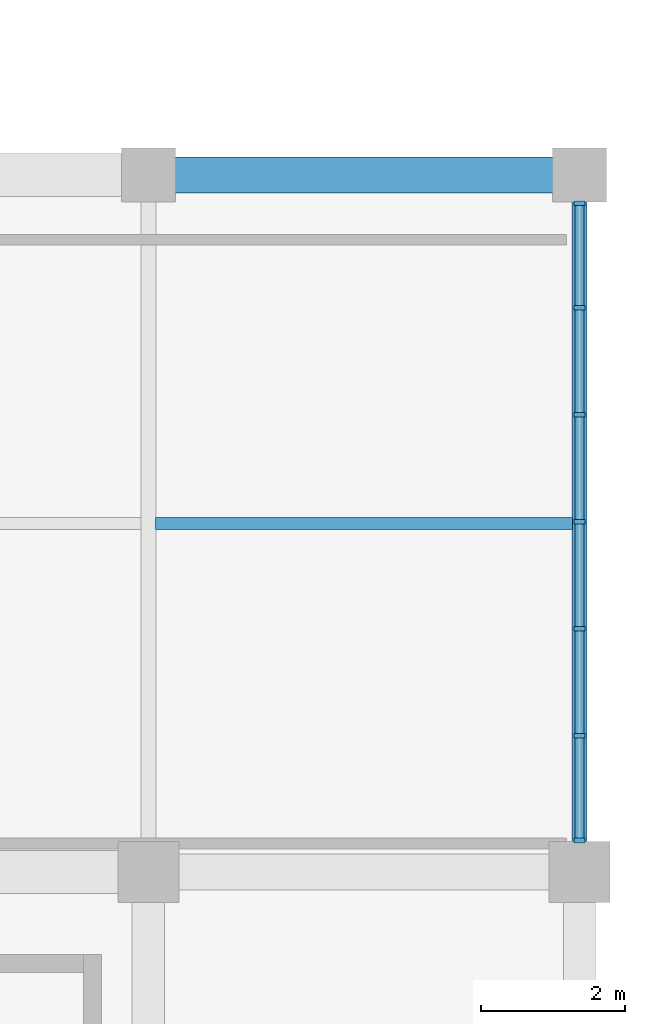
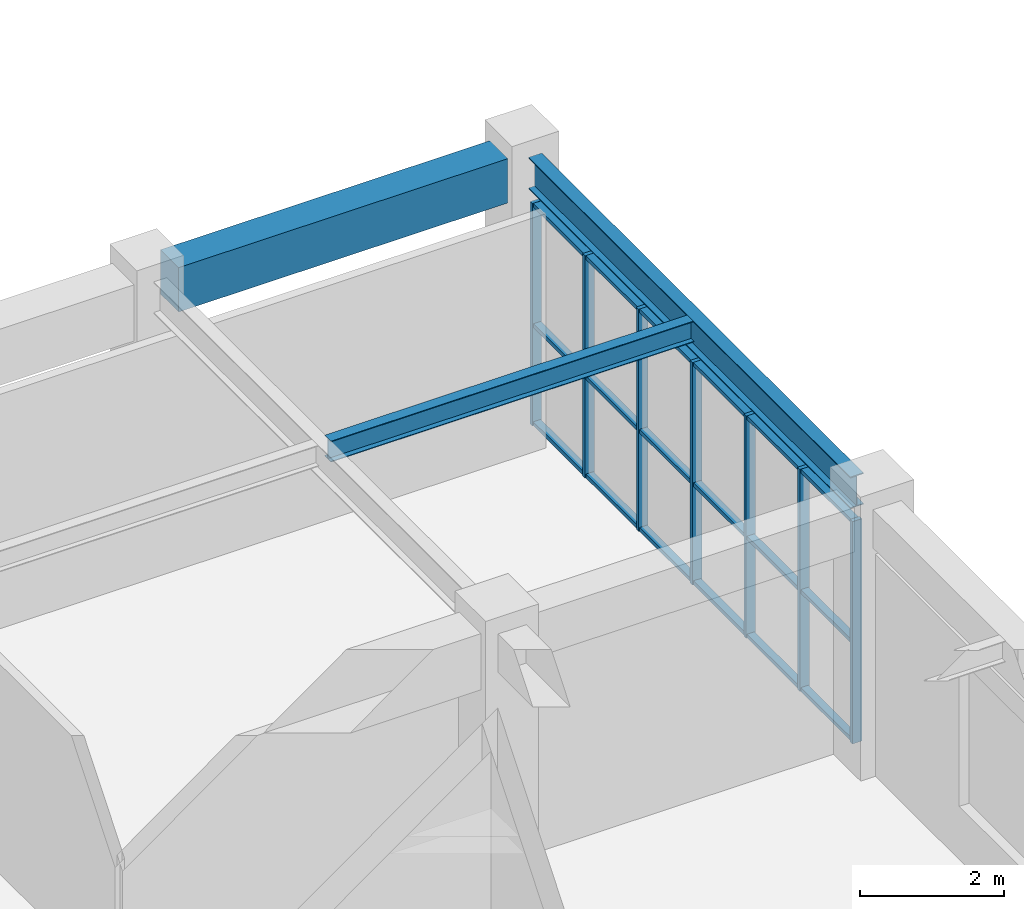
# One storey, part 61 of 112: 25 members, 3 beams, 1 element without a shape of its own.
"""IFC4 building model written with IfcOpenShell, lengths in metres."""

import ifcopenshell
import ifcopenshell.guid

model = None  # the IFC model being written
_history = None  # IfcOwnerHistory: only IFC2X3 demands one
_inside = {}  # id of a spatial element -> (the spatial element, [elements in it])
_under = {}  # id of a project, library or spatial element -> (it, [spatial elements below it])
_declared = {}  # id of a project -> (the project, [libraries it declares])
_typed = {}  # id of a type object -> (the type object, [elements of that type])
_made_of = {}  # id of a material, layer set ... -> (it, [elements and type objects made of it])


def new_model(schema):
    """Start an empty IFC model of exactly this schema.

    Asked for "IFC4X3", IfcOpenShell would pick the latest addendum, in which some entities
    have other attributes; the version numbers below select the first issue.
    IFC2X3 requires an IfcOwnerHistory on every rooted entity: one is made here for all.
    """
    global model, _history
    if schema == "IFC4X3":
        model = ifcopenshell.file(schema_version=(4, 3, 0, 0))
    else:
        model = ifcopenshell.file(schema=schema)
    _inside.clear()
    _under.clear()
    _declared.clear()
    _typed.clear()
    _made_of.clear()
    _history = None
    if model.schema == "IFC2X3":
        org = make("IfcOrganization", Name="unknown")
        user = make(
            "IfcPersonAndOrganization",
            ThePerson=make("IfcPerson", FamilyName="unknown"),
            TheOrganization=org,
        )
        app = make(
            "IfcApplication",
            ApplicationDeveloper=org,
            Version="unknown",
            ApplicationFullName="unknown",
            ApplicationIdentifier="unknown",
        )
        _history = make(
            "IfcOwnerHistory",
            OwningUser=user,
            OwningApplication=app,
            ChangeAction="ADDED",
            CreationDate=0,
        )
    return model


def make(cls, **values):
    """One entity of the class cls with the attributes given. An attribute that is None is left unset."""
    return model.create_entity(
        cls, **{name: value for name, value in values.items() if value is not None}
    )


def rooted(cls, **values):
    """An entity with a GlobalId (a new one), such as an element, a storey or a relation."""
    return make(cls, GlobalId=ifcopenshell.guid.new(), OwnerHistory=_history, **values)


def si_unit(unit_type, name, prefix=None):
    """IfcSIUnit, for example si_unit("LENGTHUNIT", "METRE", prefix="MILLI")."""
    return make("IfcSIUnit", UnitType=unit_type, Prefix=prefix, Name=name)


def assignment(units):
    """IfcUnitAssignment: the units of a project."""
    return None if units is None else make("IfcUnitAssignment", Units=units)


def point(xyz):
    """IfcCartesianPoint."""
    return None if xyz is None else make("IfcCartesianPoint", Coordinates=xyz)


def direction(xyz):
    """IfcDirection."""
    return None if xyz is None else make("IfcDirection", DirectionRatios=xyz)


def frame(location, z_axis=None, x_axis=None):
    """IfcAxis2Placement3D, a coordinate frame: its origin and axes. An axis left out is left unset."""
    return make(
        "IfcAxis2Placement3D",
        Location=point(location),
        Axis=direction(z_axis),
        RefDirection=direction(x_axis),
    )


def frame_2d(location, x_axis=None):
    """IfcAxis2Placement2D, a coordinate frame in the plane: its origin and x axis."""
    return make(
        "IfcAxis2Placement2D", Location=point(location), RefDirection=direction(x_axis)
    )


def origin():
    """The frame at (0, 0, 0) with its axes left unset."""
    return frame((0.0, 0.0, 0.0))


def origin_2d():
    """The frame at (0, 0) in the plane with its x axis left unset."""
    return frame_2d((0.0, 0.0))


def place(relative_to, where):
    """IfcLocalPlacement: puts the frame where relative to a parent placement (None: the world)."""
    return make(
        "IfcLocalPlacement", PlacementRelTo=relative_to, RelativePlacement=where
    )


def context(
    kind, dimensions, precision=None, world=None, true_north=None, identifier=None
):
    """IfcGeometricRepresentationContext, for example the 3D "Model" context."""
    return make(
        "IfcGeometricRepresentationContext",
        ContextIdentifier=identifier,
        ContextType=kind,
        CoordinateSpaceDimension=dimensions,
        Precision=precision,
        WorldCoordinateSystem=world,
        TrueNorth=true_north,
    )


def subcontext(parent, identifier, kind, view, scale=None):
    """IfcGeometricRepresentationSubContext, for example "Body" below "Model"."""
    return make(
        "IfcGeometricRepresentationSubContext",
        ContextIdentifier=identifier,
        ContextType=kind,
        ParentContext=parent,
        TargetScale=scale,
        TargetView=view,
    )


def project(units=None, contexts=None):
    """IfcProject with its units and contexts."""
    return rooted(
        "IfcProject",
        Name="project",
        RepresentationContexts=contexts,
        UnitsInContext=assignment(units),
    )


def spatial(cls, under=None, at=None, **own):
    """A site, building, storey or space (cls), placed at a placement, below another one or the project."""
    s = rooted(cls, ObjectPlacement=at, **own)
    if under is not None:
        _under.setdefault(under.id(), (under, []))[1].append(s)
    return s


def profile(cls, at=None, kind="AREA", **sizes):
    """A parametric profile (cls). Its sizes go by their IFC names, for example OverallWidth=200.0."""
    return make(cls, ProfileType=kind, Position=at, **sizes)


def rectangle(**sizes):
    """IfcRectangleProfileDef."""
    return profile("IfcRectangleProfileDef", **sizes)


def i_section(**sizes):
    """IfcIShapeProfileDef."""
    return profile("IfcIShapeProfileDef", **sizes)


def extrude(swept, where, along, depth):
    """IfcExtrudedAreaSolid: the profile swept, set in the frame where, extruded along a direction by depth."""
    return make(
        "IfcExtrudedAreaSolid",
        SweptArea=swept,
        Position=where,
        ExtrudedDirection=direction(along),
        Depth=depth,
    )


def shape(context_of_items, identifier, shape_type, items):
    """IfcShapeRepresentation: the items that make up one representation, for example the "Body"."""
    return make(
        "IfcShapeRepresentation",
        ContextOfItems=context_of_items,
        RepresentationIdentifier=identifier,
        RepresentationType=shape_type,
        Items=items,
    )


def material(Name=None, Category=None):
    """IfcMaterial."""
    return make("IfcMaterial", Name=Name, Category=Category)


def material_profile(
    of_material, cross_section, Name=None, Category=None, Priority=None
):
    """IfcMaterialProfile: a cross section and its material."""
    return make(
        "IfcMaterialProfile",
        Name=Name,
        Material=of_material,
        Profile=cross_section,
        Priority=Priority,
        Category=Category,
    )


def profile_set(profiles, Name=None, composite=None):
    """IfcMaterialProfileSet."""
    return make(
        "IfcMaterialProfileSet",
        Name=Name,
        MaterialProfiles=profiles,
        CompositeProfile=composite,
    )


def made_of(thing, what):
    """Note that an element or type object is made of a material, layer set ...; save() writes the relation."""
    if what is not None:
        _made_of.setdefault(what.id(), (what, []))[1].append(thing)
    return thing


def type_object(cls, material=None, **own):
    """A type object (cls), such as IfcWallType, which elements share."""
    return made_of(rooted(cls, **own), material)


def element(
    cls,
    number,
    at=None,
    inside=None,
    cuts=None,
    type_object=None,
    material=None,
    context=None,
    identifier="Body",
    shape_type=None,
    held_by="IfcProductDefinitionShape",
    body=None,
    shapes=None,
    **own,
):
    """One element of the class cls, such as IfcWall. Its Tag is "e" and its number.

    at: its placement. inside: the storey or other place that contains it. cuts: it is an
    opening in that element (IfcRelVoidsElement). A single representation is given by context,
    identifier, shape_type and body (its items); several are given by shapes. held_by: the class
    of the entity that holds the representations. save() writes the other relations.
    """
    e = rooted(cls, Tag="e%d" % number, ObjectPlacement=at, **own)
    if body is not None:
        shapes = [shape(context, identifier, shape_type, body)]
    if shapes is not None:
        e.Representation = make(held_by, Representations=shapes)
    if inside is not None:
        _inside.setdefault(inside.id(), (inside, []))[1].append(e)
    if cuts is not None:
        rooted(
            "IfcRelVoidsElement", RelatingBuildingElement=cuts, RelatedOpeningElement=e
        )
    if type_object is not None:
        _typed.setdefault(type_object.id(), (type_object, []))[1].append(e)
    return made_of(e, material)


def aggregate(whole, parts):
    """IfcRelAggregates: a whole, such as a stair, and the parts it consists of."""
    return rooted("IfcRelAggregates", RelatingObject=whole, RelatedObjects=parts)


def save(model, path):
    """Write the relations noted so far, then the file.

    IfcRelAggregates (storeys below a building ...), IfcRelContainedInSpatialStructure (elements
    in a storey), IfcRelDefinesByType, IfcRelAssociatesMaterial and IfcRelDeclares: one each for
    every whole, place, type object, material and project.
    """
    for whole, parts in _under.values():
        aggregate(whole, parts)
    for where, things in _inside.values():
        rooted(
            "IfcRelContainedInSpatialStructure",
            RelatedElements=things,
            RelatingStructure=where,
        )
    for kind, things in _typed.values():
        rooted("IfcRelDefinesByType", RelatedObjects=things, RelatingType=kind)
    for what, things in _made_of.values():
        rooted("IfcRelAssociatesMaterial", RelatedObjects=things, RelatingMaterial=what)
    for by, libraries in _declared.values():
        rooted("IfcRelDeclares", RelatingContext=by, RelatedDefinitions=libraries)
    model.write(path)


model = new_model("IFC4")

# Units and contexts
model_context = context("Model", 3, precision=1e-05, world=origin(), true_north=direction((0.0, 1.0)))
body_context = subcontext(model_context, "Body", "Model", "MODEL_VIEW")
ifc_project = project(units=[si_unit("LENGTHUNIT", "METRE"), si_unit("AREAUNIT", "SQUARE_METRE"), si_unit("VOLUMEUNIT", "CUBIC_METRE"), si_unit("PLANEANGLEUNIT", "RADIAN"), si_unit("MASSUNIT", "GRAM", prefix="KILO")], contexts=[model_context])

# Site, building, storey
site_placement = place(None, origin())
site = spatial("IfcSite", under=ifc_project, at=site_placement, CompositionType="ELEMENT")
building_placement = place(site_placement, origin())
building = spatial("IfcBuilding", under=site, at=building_placement, Name="Cuetzalor Civic Arena", CompositionType="ELEMENT")
storey_placement = place(building_placement, frame((0.0, 0.0, 11.39990234375)))
storey = spatial("IfcBuildingStorey", under=building, at=storey_placement, Name="L02", CompositionType="ELEMENT", Elevation=11.39990234375)

# Beam
ifc_material_1 = material(Name="Concrete C40/50", Category="concrete")
ifc_material_profile_1 = material_profile(ifc_material_1, rectangle(XDim=0.5, YDim=0.75, at=origin_2d()), Name="RC 500x750")
ifc_profile_set_1 = profile_set([ifc_material_profile_1], Name="Concrete C40/50")
beam_type_1 = type_object("IfcBeamType", Name="ConcreteFrameBeam_500x750", PredefinedType="BEAM", material=ifc_profile_set_1)
beam_1_placement = place(storey_placement, frame((76.364990234375, 34.699951171875, 4.14501953125), z_axis=(1.0, 0.0, 0.0), x_axis=(0.0, 1.0, 0.0)))
element("IfcBeam", 1, at=beam_1_placement, inside=storey, type_object=beam_type_1, Name="Frame Girder V4E-L02-X0735", PredefinedType="BEAM", context=body_context, shape_type="SweptSolid", body=[
    extrude(rectangle(XDim=0.5, YDim=0.75, at=origin_2d()), origin(), (0.0, 0.0, 1.0), 5.27001953125),
])

# Curtain wall, members
ifc_material_2 = material(Name="Anodised dark bronze aluminium and low-E solar glass", Category="aluminium")
curtain_wall_type = type_object("IfcCurtainWallType", Name="UnitisedCW_8950x3750", PredefinedType="USERDEFINED", material=ifc_material_2)
curtain_wall_placement = place(storey_placement, origin())
curtain_wall = element("IfcCurtainWall", 2, at=curtain_wall_placement, inside=storey, type_object=curtain_wall_type, Name="V4E Suite Viewing Curtain Wall L02-144", ObjectType="UNITISED CURTAIN WALL", PredefinedType="USERDEFINED")
ifc_material_3 = material(Name="Anodised dark bronze aluminium", Category="aluminium")
ifc_material_profile_2 = material_profile(ifc_material_3, rectangle(XDim=0.06494140625, YDim=0.14990234375, at=origin_2d()), Name="ALU MULLION 65x150")
ifc_profile_set_2 = profile_set([ifc_material_profile_2], Name="Anodised dark bronze aluminium")
member_type_1 = type_object("IfcMemberType", Name="CurtainWallMullion_60x150", PredefinedType="MULLION", material=ifc_profile_set_2)
member_1_placement = place(storey_placement, frame((82.0, 34.310546875, 0.0), z_axis=(0.0, 0.0, 1.0), x_axis=(0.0, -1.0, 0.0)))
member_1 = element("IfcMember", 3, at=member_1_placement, type_object=member_type_1, Name="CW-43 mullion 1", PredefinedType="MULLION", context=body_context, shape_type="SweptSolid", body=[
    extrude(rectangle(XDim=0.06494140625, YDim=0.14990234375, at=origin_2d()), origin(), (0.0, 0.0, 1.0), 3.760009765625),
])
member_2_placement = place(storey_placement, frame((82.0, 32.853759765625, 0.0), z_axis=(0.0, 0.0, 1.0), x_axis=(0.0, -1.0, 0.0)))
member_2 = element("IfcMember", 4, at=member_2_placement, type_object=member_type_1, Name="CW-43 mullion 2", PredefinedType="MULLION", context=body_context, shape_type="SweptSolid", body=[
    extrude(rectangle(XDim=0.06494140625, YDim=0.14990234375, at=origin_2d()), origin(), (0.0, 0.0, 1.0), 3.760009765625),
])
member_3_placement = place(storey_placement, frame((82.0, 31.3642578125, 0.0), z_axis=(0.0, 0.0, 1.0), x_axis=(0.0, -1.0, 0.0)))
member_3 = element("IfcMember", 5, at=member_3_placement, type_object=member_type_1, Name="CW-43 mullion 3", PredefinedType="MULLION", context=body_context, shape_type="SweptSolid", body=[
    extrude(rectangle(XDim=0.06494140625, YDim=0.14990234375, at=origin_2d()), origin(), (0.0, 0.0, 1.0), 3.760009765625),
])
member_4_placement = place(storey_placement, frame((82.0, 29.875, 0.0), z_axis=(0.0, 0.0, 1.0), x_axis=(0.0, -1.0, 0.0)))
member_4 = element("IfcMember", 6, at=member_4_placement, type_object=member_type_1, Name="CW-43 mullion 4", PredefinedType="MULLION", context=body_context, shape_type="SweptSolid", body=[
    extrude(rectangle(XDim=0.06494140625, YDim=0.14990234375, at=origin_2d()), origin(), (0.0, 0.0, 1.0), 3.760009765625),
])
member_5_placement = place(storey_placement, frame((82.0, 28.3857421875, 0.0), z_axis=(0.0, 0.0, 1.0), x_axis=(0.0, -1.0, 0.0)))
member_5 = element("IfcMember", 7, at=member_5_placement, type_object=member_type_1, Name="CW-43 mullion 5", PredefinedType="MULLION", context=body_context, shape_type="SweptSolid", body=[
    extrude(rectangle(XDim=0.06494140625, YDim=0.14990234375, at=origin_2d()), origin(), (0.0, 0.0, 1.0), 3.760009765625),
])
member_6_placement = place(storey_placement, frame((82.0, 26.896240234375, 0.0), z_axis=(0.0, 0.0, 1.0), x_axis=(0.0, -1.0, 0.0)))
member_6 = element("IfcMember", 8, at=member_6_placement, type_object=member_type_1, Name="CW-43 mullion 6", PredefinedType="MULLION", context=body_context, shape_type="SweptSolid", body=[
    extrude(rectangle(XDim=0.06494140625, YDim=0.14990234375, at=origin_2d()), origin(), (0.0, 0.0, 1.0), 3.760009765625),
])
member_7_placement = place(storey_placement, frame((82.0, 25.439453125, 0.0), z_axis=(0.0, 0.0, 1.0), x_axis=(0.0, -1.0, 0.0)))
member_7 = element("IfcMember", 9, at=member_7_placement, type_object=member_type_1, Name="CW-43 mullion 7", PredefinedType="MULLION", context=body_context, shape_type="SweptSolid", body=[
    extrude(rectangle(XDim=0.06494140625, YDim=0.14990234375, at=origin_2d()), origin(), (0.0, 0.0, 1.0), 3.760009765625),
])
ifc_material_4 = material(Name="Anodised dark bronze aluminium", Category="aluminium")
ifc_material_profile_3 = material_profile(ifc_material_4, rectangle(XDim=0.1201171875, YDim=0.06494140625, at=origin_2d()), Name="ALU TRANSOM 65x120")
ifc_profile_set_3 = profile_set([ifc_material_profile_3], Name="Anodised dark bronze aluminium")
member_type_2 = type_object("IfcMemberType", Name="CurtainWallTransom_60x120", PredefinedType="USERDEFINED", material=ifc_profile_set_3)
member_8_placement = place(storey_placement, frame((82.0, 34.278076171875, 0.03271484375), z_axis=(0.0, -1.0, 0.0), x_axis=(1.0, 0.0, 0.0)))
member_8 = element("IfcMember", 10, at=member_8_placement, type_object=member_type_2, Name="CW-43 transom 1.1", ObjectType="TRANSOM", PredefinedType="USERDEFINED", context=body_context, shape_type="SweptSolid", body=[
    extrude(rectangle(XDim=0.1201171875, YDim=0.06494140625, at=origin_2d()), origin(), (0.0, 0.0, 1.0), 1.391845703125),
])
member_9_placement = place(storey_placement, frame((82.0, 34.278076171875, 1.692138671875), z_axis=(0.0, -1.0, 0.0), x_axis=(1.0, 0.0, 0.0)))
member_9 = element("IfcMember", 11, at=member_9_placement, type_object=member_type_2, Name="CW-43 transom 1.2", ObjectType="TRANSOM", PredefinedType="USERDEFINED", context=body_context, shape_type="SweptSolid", body=[
    extrude(rectangle(XDim=0.1201171875, YDim=0.06494140625, at=origin_2d()), origin(), (0.0, 0.0, 1.0), 1.391845703125),
])
member_10_placement = place(storey_placement, frame((82.0, 34.278076171875, 3.7275390625), z_axis=(0.0, -1.0, 0.0), x_axis=(1.0, 0.0, 0.0)))
member_10 = element("IfcMember", 12, at=member_10_placement, type_object=member_type_2, Name="CW-43 transom 1.3", ObjectType="TRANSOM", PredefinedType="USERDEFINED", context=body_context, shape_type="SweptSolid", body=[
    extrude(rectangle(XDim=0.1201171875, YDim=0.06494140625, at=origin_2d()), origin(), (0.0, 0.0, 1.0), 1.391845703125),
])
member_11_placement = place(storey_placement, frame((82.0, 32.821044921875, 0.03271484375), z_axis=(0.0, -1.0, 0.0), x_axis=(1.0, 0.0, 0.0)))
member_11 = element("IfcMember", 13, at=member_11_placement, type_object=member_type_2, Name="CW-43 transom 2.1", ObjectType="TRANSOM", PredefinedType="USERDEFINED", context=body_context, shape_type="SweptSolid", body=[
    extrude(rectangle(XDim=0.1201171875, YDim=0.06494140625, at=origin_2d()), origin(), (0.0, 0.0, 1.0), 1.42431640625),
])
member_12_placement = place(storey_placement, frame((82.0, 32.821044921875, 1.692138671875), z_axis=(0.0, -1.0, 0.0), x_axis=(1.0, 0.0, 0.0)))
member_12 = element("IfcMember", 14, at=member_12_placement, type_object=member_type_2, Name="CW-43 transom 2.2", ObjectType="TRANSOM", PredefinedType="USERDEFINED", context=body_context, shape_type="SweptSolid", body=[
    extrude(rectangle(XDim=0.1201171875, YDim=0.06494140625, at=origin_2d()), origin(), (0.0, 0.0, 1.0), 1.42431640625),
])
member_13_placement = place(storey_placement, frame((82.0, 32.821044921875, 3.7275390625), z_axis=(0.0, -1.0, 0.0), x_axis=(1.0, 0.0, 0.0)))
member_13 = element("IfcMember", 15, at=member_13_placement, type_object=member_type_2, Name="CW-43 transom 2.3", ObjectType="TRANSOM", PredefinedType="USERDEFINED", context=body_context, shape_type="SweptSolid", body=[
    extrude(rectangle(XDim=0.1201171875, YDim=0.06494140625, at=origin_2d()), origin(), (0.0, 0.0, 1.0), 1.42431640625),
])
member_14_placement = place(storey_placement, frame((82.0, 31.331787109375, 0.03271484375), z_axis=(0.0, -1.0, 0.0), x_axis=(1.0, 0.0, 0.0)))
member_14 = element("IfcMember", 16, at=member_14_placement, type_object=member_type_2, Name="CW-43 transom 3.1", ObjectType="TRANSOM", PredefinedType="USERDEFINED", context=body_context, shape_type="SweptSolid", body=[
    extrude(rectangle(XDim=0.1201171875, YDim=0.06494140625, at=origin_2d()), origin(), (0.0, 0.0, 1.0), 1.42431640625),
])
member_15_placement = place(storey_placement, frame((82.0, 31.331787109375, 1.692138671875), z_axis=(0.0, -1.0, 0.0), x_axis=(1.0, 0.0, 0.0)))
member_15 = element("IfcMember", 17, at=member_15_placement, type_object=member_type_2, Name="CW-43 transom 3.2", ObjectType="TRANSOM", PredefinedType="USERDEFINED", context=body_context, shape_type="SweptSolid", body=[
    extrude(rectangle(XDim=0.1201171875, YDim=0.06494140625, at=origin_2d()), origin(), (0.0, 0.0, 1.0), 1.42431640625),
])
member_16_placement = place(storey_placement, frame((82.0, 31.331787109375, 3.7275390625), z_axis=(0.0, -1.0, 0.0), x_axis=(1.0, 0.0, 0.0)))
member_16 = element("IfcMember", 18, at=member_16_placement, type_object=member_type_2, Name="CW-43 transom 3.3", ObjectType="TRANSOM", PredefinedType="USERDEFINED", context=body_context, shape_type="SweptSolid", body=[
    extrude(rectangle(XDim=0.1201171875, YDim=0.06494140625, at=origin_2d()), origin(), (0.0, 0.0, 1.0), 1.42431640625),
])
member_17_placement = place(storey_placement, frame((82.0, 29.842529296875, 0.03271484375), z_axis=(0.0, -1.0, 0.0), x_axis=(1.0, 0.0, 0.0)))
member_17 = element("IfcMember", 19, at=member_17_placement, type_object=member_type_2, Name="CW-43 transom 4.1", ObjectType="TRANSOM", PredefinedType="USERDEFINED", context=body_context, shape_type="SweptSolid", body=[
    extrude(rectangle(XDim=0.1201171875, YDim=0.06494140625, at=origin_2d()), origin(), (0.0, 0.0, 1.0), 1.42431640625),
])
member_18_placement = place(storey_placement, frame((82.0, 29.842529296875, 1.692138671875), z_axis=(0.0, -1.0, 0.0), x_axis=(1.0, 0.0, 0.0)))
member_18 = element("IfcMember", 20, at=member_18_placement, type_object=member_type_2, Name="CW-43 transom 4.2", ObjectType="TRANSOM", PredefinedType="USERDEFINED", context=body_context, shape_type="SweptSolid", body=[
    extrude(rectangle(XDim=0.1201171875, YDim=0.06494140625, at=origin_2d()), origin(), (0.0, 0.0, 1.0), 1.42431640625),
])
member_19_placement = place(storey_placement, frame((82.0, 29.842529296875, 3.7275390625), z_axis=(0.0, -1.0, 0.0), x_axis=(1.0, 0.0, 0.0)))
member_19 = element("IfcMember", 21, at=member_19_placement, type_object=member_type_2, Name="CW-43 transom 4.3", ObjectType="TRANSOM", PredefinedType="USERDEFINED", context=body_context, shape_type="SweptSolid", body=[
    extrude(rectangle(XDim=0.1201171875, YDim=0.06494140625, at=origin_2d()), origin(), (0.0, 0.0, 1.0), 1.42431640625),
])
member_20_placement = place(storey_placement, frame((82.0, 28.353271484375, 0.03271484375), z_axis=(0.0, -1.0, 0.0), x_axis=(1.0, 0.0, 0.0)))
member_20 = element("IfcMember", 22, at=member_20_placement, type_object=member_type_2, Name="CW-43 transom 5.1", ObjectType="TRANSOM", PredefinedType="USERDEFINED", context=body_context, shape_type="SweptSolid", body=[
    extrude(rectangle(XDim=0.1201171875, YDim=0.06494140625, at=origin_2d()), origin(), (0.0, 0.0, 1.0), 1.42431640625),
])
member_21_placement = place(storey_placement, frame((82.0, 28.353271484375, 1.692138671875), z_axis=(0.0, -1.0, 0.0), x_axis=(1.0, 0.0, 0.0)))
member_21 = element("IfcMember", 23, at=member_21_placement, type_object=member_type_2, Name="CW-43 transom 5.2", ObjectType="TRANSOM", PredefinedType="USERDEFINED", context=body_context, shape_type="SweptSolid", body=[
    extrude(rectangle(XDim=0.1201171875, YDim=0.06494140625, at=origin_2d()), origin(), (0.0, 0.0, 1.0), 1.42431640625),
])
member_22_placement = place(storey_placement, frame((82.0, 28.353271484375, 3.7275390625), z_axis=(0.0, -1.0, 0.0), x_axis=(1.0, 0.0, 0.0)))
member_22 = element("IfcMember", 24, at=member_22_placement, type_object=member_type_2, Name="CW-43 transom 5.3", ObjectType="TRANSOM", PredefinedType="USERDEFINED", context=body_context, shape_type="SweptSolid", body=[
    extrude(rectangle(XDim=0.1201171875, YDim=0.06494140625, at=origin_2d()), origin(), (0.0, 0.0, 1.0), 1.42431640625),
])
member_23_placement = place(storey_placement, frame((82.0, 26.86376953125, 0.03271484375), z_axis=(0.0, -1.0, 0.0), x_axis=(1.0, 0.0, 0.0)))
member_23 = element("IfcMember", 25, at=member_23_placement, type_object=member_type_2, Name="CW-43 transom 6.1", ObjectType="TRANSOM", PredefinedType="USERDEFINED", context=body_context, shape_type="SweptSolid", body=[
    extrude(rectangle(XDim=0.1201171875, YDim=0.06494140625, at=origin_2d()), origin(), (0.0, 0.0, 1.0), 1.391845703125),
])
member_24_placement = place(storey_placement, frame((82.0, 26.86376953125, 1.692138671875), z_axis=(0.0, -1.0, 0.0), x_axis=(1.0, 0.0, 0.0)))
member_24 = element("IfcMember", 26, at=member_24_placement, type_object=member_type_2, Name="CW-43 transom 6.2", ObjectType="TRANSOM", PredefinedType="USERDEFINED", context=body_context, shape_type="SweptSolid", body=[
    extrude(rectangle(XDim=0.1201171875, YDim=0.06494140625, at=origin_2d()), origin(), (0.0, 0.0, 1.0), 1.391845703125),
])
member_25_placement = place(storey_placement, frame((82.0, 26.86376953125, 3.7275390625), z_axis=(0.0, -1.0, 0.0), x_axis=(1.0, 0.0, 0.0)))
member_25 = element("IfcMember", 27, at=member_25_placement, type_object=member_type_2, Name="CW-43 transom 6.3", ObjectType="TRANSOM", PredefinedType="USERDEFINED", context=body_context, shape_type="SweptSolid", body=[
    extrude(rectangle(XDim=0.1201171875, YDim=0.06494140625, at=origin_2d()), origin(), (0.0, 0.0, 1.0), 1.391845703125),
])
aggregate(curtain_wall, [member_1, member_2, member_3, member_4, member_5, member_6, member_7, member_8, member_9, member_10, member_11, member_12, member_13, member_14, member_15, member_16, member_17, member_18, member_19, member_20, member_21, member_22, member_23, member_24, member_25])

# Beams
ifc_material_5 = material(Name="Steel S355", Category="steel")
ifc_material_profile_4 = material_profile(ifc_material_5, i_section(OverallWidth=0.1708984375, OverallDepth=0.35498046875, WebThickness=0.007080078125, FlangeThickness=0.01171875, at=origin_2d()), Name="W360x51")
ifc_profile_set_4 = profile_set([ifc_material_profile_4], Name="Steel S355")
beam_type_2 = type_object("IfcBeamType", Name="SecondaryFloorJoist_W360", PredefinedType="JOIST", material=ifc_profile_set_4)
beam_2_placement = place(storey_placement, frame((76.096435546875, 29.85009765625, 4.342529296875), z_axis=(1.0, 0.0, 0.0), x_axis=(0.0, 1.0, 0.0)))
element("IfcBeam", 28, at=beam_2_placement, inside=storey, type_object=beam_type_2, Name="Secondary Floor Joist V4E-L02-0244", PredefinedType="JOIST", context=body_context, shape_type="SweptSolid", body=[
    extrude(i_section(OverallWidth=0.1708984375, OverallDepth=0.35498046875, WebThickness=0.007080078125, FlangeThickness=0.01171875, at=origin_2d()), origin(), (0.0, 0.0, 1.0), 5.80712890625),
])
ifc_material_6 = material(Name="Steel S355", Category="steel")
ifc_material_profile_5 = material_profile(ifc_material_6, i_section(OverallWidth=0.208984375, OverallDepth=0.532958984375, WebThickness=0.01025390625, FlangeThickness=0.015625, at=origin_2d()), Name="W530x92")
ifc_profile_set_5 = profile_set([ifc_material_profile_5], Name="Steel S355")
beam_type_3 = type_object("IfcBeamType", Name="SteelCollarGirder_W530", PredefinedType="BEAM", material=ifc_profile_set_5)
beam_3_placement = place(storey_placement, frame((82.0, 25.4150390625, 4.253662109375), z_axis=(0.0, 1.0, 0.0), x_axis=(-1.0, 0.0, 0.0)))
element("IfcBeam", 29, at=beam_3_placement, inside=storey, type_object=beam_type_3, Name="Frame Girder V4E-L02-Y0777", PredefinedType="BEAM", context=body_context, shape_type="SweptSolid", body=[
    extrude(i_section(OverallWidth=0.208984375, OverallDepth=0.532958984375, WebThickness=0.01025390625, FlangeThickness=0.015625, at=origin_2d()), origin(), (0.0, 0.0, 1.0), 8.919921875),
])

save(model, "model.ifc")
